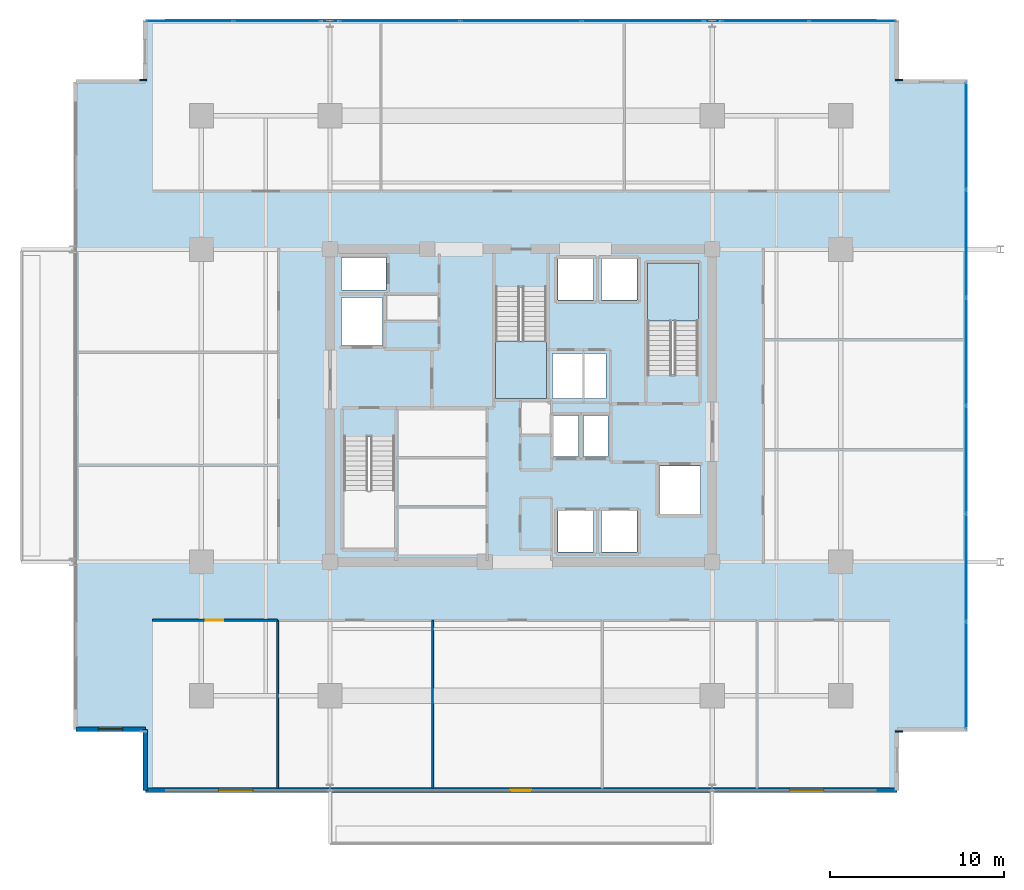
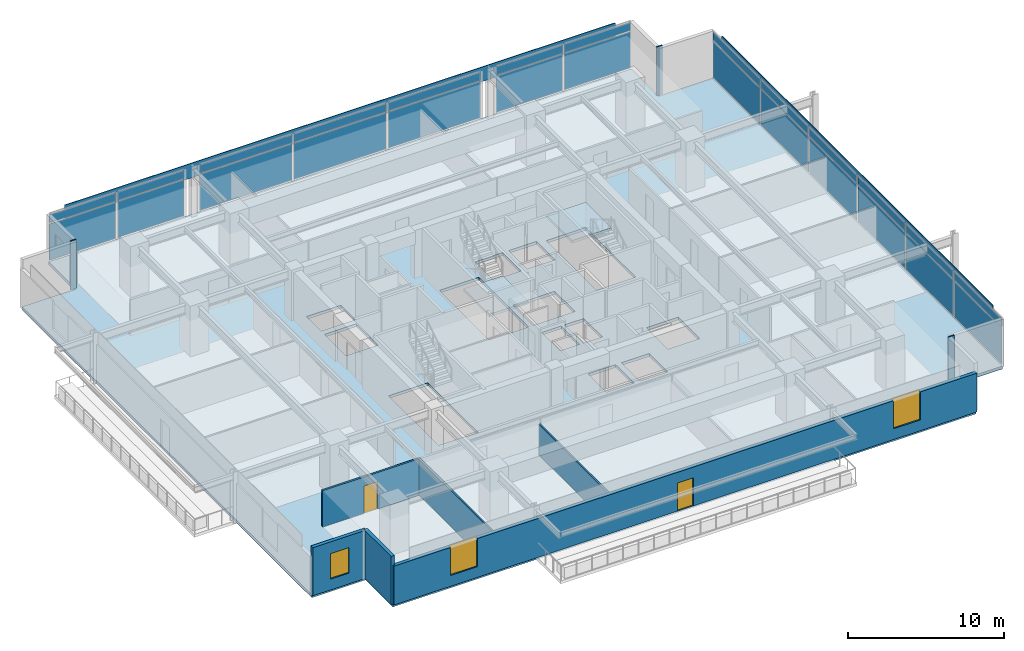
# One storey, part 14 of 23: 31 plates, 6 walls, 3 slabs, 3 windows, 2 doors, 5 openings, 6 elements without a shape of their own.
"""IFC4 building model written with IfcOpenShell, lengths in metres."""

from ifc_helpers import new_model, si_unit, direction, frame, frame_2d, origin, origin_2d, place, context, subcontext, project, spatial, polyline, rectangle, outline, extrude, material, layer, layer_set, type_object, element, fill, aggregate, save


model = new_model("IFC4")

# Units and contexts
model_context = context("Model", 3, precision=1e-05, world=origin(), true_north=direction((0.0, 1.0)))
body_context = subcontext(model_context, "Body", "Model", "MODEL_VIEW")
ifc_project = project(units=[si_unit("LENGTHUNIT", "METRE"), si_unit("AREAUNIT", "SQUARE_METRE"), si_unit("VOLUMEUNIT", "CUBIC_METRE"), si_unit("PLANEANGLEUNIT", "RADIAN"), si_unit("MASSUNIT", "GRAM", prefix="KILO")], contexts=[model_context])

# Site, building, storey
site_placement = place(None, origin())
site = spatial("IfcSite", under=ifc_project, at=site_placement, CompositionType="ELEMENT")
building_placement = place(site_placement, origin())
building = spatial("IfcBuilding", under=site, at=building_placement, Name="Kovane Verandah Tower", CompositionType="ELEMENT")
storey_placement = place(building_placement, frame((0.0, 0.0, 221.199951171875)))
storey = spatial("IfcBuildingStorey", under=building, at=storey_placement, Name="L51", CompositionType="ELEMENT", Elevation=221.199951171875)

# Curtain wall, plates
ifc_material_1 = material(Name="Champagne Anodised Aluminium Frame with Low-E Clear Laminated Glass", Category="aluminium")
curtain_wall_type = type_object("IfcCurtainWallType", Name="CW-SYS-03-MID", PredefinedType="NOTDEFINED", material=ifc_material_1)
curtain_wall_1_placement = place(storey_placement, origin())
curtain_wall_1 = element("IfcCurtainWall", 1, at=curtain_wall_1_placement, inside=storey, type_object=curtain_wall_type, Name="L51 E Unitised Curtain Wall", PredefinedType="NOTDEFINED")
ifc_material_2 = material(Name="Pale Champagne Anodised Aluminium Insulated Spandrel", Category="aluminium")
ifc_layer_1 = layer(ifc_material_2, 0.0400390625)
ifc_layer_set_1 = layer_set([ifc_layer_1], Name="Pale Champagne Anodised Aluminium Insulated Spandrel")
plate_type_1 = type_object("IfcPlateType", Name="PL-CW-SPD-40", PredefinedType="SHEET", material=ifc_layer_set_1)
plate_1_placement = place(storey_placement, frame((65.63134765625, 11.96630859375, 3.044921875), z_axis=(0.0, 0.0, 1.0), x_axis=(0.0, 1.0, 0.0)))
plate_1 = element("IfcPlate", 2, at=plate_1_placement, type_object=plate_type_1, Name="L51 E Unitised Curtain Wall Spandrel Panel 1", PredefinedType="SHEET", context=body_context, shape_type="SweptSolid", body=[
    extrude(rectangle(XDim=6.073486328125, YDim=0.0400390625, at=origin_2d()), origin(), (0.0, 0.0, 1.0), 0.639892578125),
])
plate_2_placement = place(storey_placement, frame((65.63134765625, 18.1796875, 3.044921875), z_axis=(0.0, 0.0, 1.0), x_axis=(0.0, 1.0, 0.0)))
plate_2 = element("IfcPlate", 3, at=plate_2_placement, type_object=plate_type_1, Name="L51 E Unitised Curtain Wall Spandrel Panel 2", PredefinedType="SHEET", context=body_context, shape_type="SweptSolid", body=[
    extrude(rectangle(XDim=6.073486328125, YDim=0.0400390625, at=origin_2d()), origin(), (0.0, 0.0, 1.0), 0.639892578125),
])
plate_3_placement = place(storey_placement, frame((65.63134765625, 24.393310546875, 3.044921875), z_axis=(0.0, 0.0, 1.0), x_axis=(0.0, 1.0, 0.0)))
plate_3 = element("IfcPlate", 4, at=plate_3_placement, type_object=plate_type_1, Name="L51 E Unitised Curtain Wall Spandrel Panel 3", PredefinedType="SHEET", context=body_context, shape_type="SweptSolid", body=[
    extrude(rectangle(XDim=6.073486328125, YDim=0.0400390625, at=origin_2d()), origin(), (0.0, 0.0, 1.0), 0.639892578125),
])
plate_4_placement = place(storey_placement, frame((65.63134765625, 30.606689453125, 3.044921875), z_axis=(0.0, 0.0, 1.0), x_axis=(0.0, 1.0, 0.0)))
plate_4 = element("IfcPlate", 5, at=plate_4_placement, type_object=plate_type_1, Name="L51 E Unitised Curtain Wall Spandrel Panel 4", PredefinedType="SHEET", context=body_context, shape_type="SweptSolid", body=[
    extrude(rectangle(XDim=6.073486328125, YDim=0.0400390625, at=origin_2d()), origin(), (0.0, 0.0, 1.0), 0.639892578125),
])
plate_5_placement = place(storey_placement, frame((65.63134765625, 36.8203125, 3.044921875), z_axis=(0.0, 0.0, 1.0), x_axis=(0.0, 1.0, 0.0)))
plate_5 = element("IfcPlate", 6, at=plate_5_placement, type_object=plate_type_1, Name="L51 E Unitised Curtain Wall Spandrel Panel 5", PredefinedType="SHEET", context=body_context, shape_type="SweptSolid", body=[
    extrude(rectangle(XDim=6.073486328125, YDim=0.0400390625, at=origin_2d()), origin(), (0.0, 0.0, 1.0), 0.639892578125),
])
plate_6_placement = place(storey_placement, frame((65.63134765625, 43.03369140625, 3.044921875), z_axis=(0.0, 0.0, 1.0), x_axis=(0.0, 1.0, 0.0)))
plate_6 = element("IfcPlate", 7, at=plate_6_placement, type_object=plate_type_1, Name="L51 E Unitised Curtain Wall Spandrel Panel 6", PredefinedType="SHEET", context=body_context, shape_type="SweptSolid", body=[
    extrude(rectangle(XDim=6.073486328125, YDim=0.0400390625, at=origin_2d()), origin(), (0.0, 0.0, 1.0), 0.639892578125),
])

curtain_wall_2_placement = place(storey_placement, origin())
curtain_wall_2 = element("IfcCurtainWall", 8, at=curtain_wall_2_placement, inside=storey, type_object=curtain_wall_type, Name="L51 N Unitised Curtain Wall-1", PredefinedType="NOTDEFINED")
plate_7_placement = place(storey_placement, frame((59.103515625, 49.640380859375, 3.044921875), z_axis=(0.0, 0.0, 1.0), x_axis=(-1.0, 0.0, 0.0)))
plate_7 = element("IfcPlate", 9, at=plate_7_placement, type_object=plate_type_1, Name="L51 N Unitised Curtain Wall-1 Spandrel Panel 1", PredefinedType="SHEET", context=body_context, shape_type="SweptSolid", body=[
    extrude(rectangle(XDim=4.915771484375, YDim=0.0400390625, at=origin_2d()), origin(), (0.0, 0.0, 1.0), 0.639892578125),
])
plate_8_placement = place(storey_placement, frame((54.0478515625, 49.640380859375, 3.044921875), z_axis=(0.0, 0.0, 1.0), x_axis=(-1.0, 0.0, 0.0)))
plate_8 = element("IfcPlate", 10, at=plate_8_placement, type_object=plate_type_1, Name="L51 N Unitised Curtain Wall-1 Spandrel Panel 2", PredefinedType="SHEET", context=body_context, shape_type="SweptSolid", body=[
    extrude(rectangle(XDim=4.915771484375, YDim=0.0400390625, at=origin_2d()), origin(), (0.0, 0.0, 1.0), 0.639892578125),
])

curtain_wall_3_placement = place(storey_placement, origin())
curtain_wall_3 = element("IfcCurtainWall", 11, at=curtain_wall_3_placement, inside=storey, type_object=curtain_wall_type, Name="L51 N Unitised Curtain Wall-2", PredefinedType="NOTDEFINED")
plate_9_placement = place(storey_placement, frame((46.98681640625, 49.640380859375, 3.044921875), z_axis=(0.0, 0.0, 1.0), x_axis=(-1.0, 0.0, 0.0)))
plate_9 = element("IfcPlate", 12, at=plate_9_placement, type_object=plate_type_1, Name="L51 N Unitised Curtain Wall-2 Spandrel Panel 1", PredefinedType="SHEET", context=body_context, shape_type="SweptSolid", body=[
    extrude(rectangle(XDim=6.8466796875, YDim=0.0400390625, at=origin_2d()), origin(), (0.0, 0.0, 1.0), 0.639892578125),
])
plate_10_placement = place(storey_placement, frame((40.0, 49.640380859375, 3.044921875), z_axis=(0.0, 0.0, 1.0), x_axis=(-1.0, 0.0, 0.0)))
plate_10 = element("IfcPlate", 13, at=plate_10_placement, type_object=plate_type_1, Name="L51 N Unitised Curtain Wall-2 Spandrel Panel 2", PredefinedType="SHEET", context=body_context, shape_type="SweptSolid", body=[
    extrude(rectangle(XDim=6.8466796875, YDim=0.0400390625, at=origin_2d()), origin(), (0.0, 0.0, 1.0), 0.639892578125),
])
plate_11_placement = place(storey_placement, frame((33.01318359375, 49.640380859375, 3.044921875), z_axis=(0.0, 0.0, 1.0), x_axis=(-1.0, 0.0, 0.0)))
plate_11 = element("IfcPlate", 14, at=plate_11_placement, type_object=plate_type_1, Name="L51 N Unitised Curtain Wall-2 Spandrel Panel 3", PredefinedType="SHEET", context=body_context, shape_type="SweptSolid", body=[
    extrude(rectangle(XDim=6.8466796875, YDim=0.0400390625, at=origin_2d()), origin(), (0.0, 0.0, 1.0), 0.639892578125),
])

curtain_wall_4_placement = place(storey_placement, origin())
curtain_wall_4 = element("IfcCurtainWall", 15, at=curtain_wall_4_placement, inside=storey, type_object=curtain_wall_type, Name="L51 N Unitised Curtain Wall-3", PredefinedType="NOTDEFINED")
plate_12_placement = place(storey_placement, frame((25.9521484375, 49.640380859375, 3.044921875), z_axis=(0.0, 0.0, 1.0), x_axis=(-1.0, 0.0, 0.0)))
plate_12 = element("IfcPlate", 16, at=plate_12_placement, type_object=plate_type_1, Name="L51 N Unitised Curtain Wall-3 Spandrel Panel 1", PredefinedType="SHEET", context=body_context, shape_type="SweptSolid", body=[
    extrude(rectangle(XDim=4.91552734375, YDim=0.0400390625, at=origin_2d()), origin(), (0.0, 0.0, 1.0), 0.639892578125),
])
plate_13_placement = place(storey_placement, frame((20.896484375, 49.640380859375, 3.044921875), z_axis=(0.0, 0.0, 1.0), x_axis=(-1.0, 0.0, 0.0)))
plate_13 = element("IfcPlate", 17, at=plate_13_placement, type_object=plate_type_1, Name="L51 N Unitised Curtain Wall-3 Spandrel Panel 2", PredefinedType="SHEET", context=body_context, shape_type="SweptSolid", body=[
    extrude(rectangle(XDim=4.91552734375, YDim=0.0400390625, at=origin_2d()), origin(), (0.0, 0.0, 1.0), 0.639892578125),
])

# Plate
ifc_material_3 = material(Name="Clear Low-E Laminated Double Glazing", Category="glass")
ifc_layer_2 = layer(ifc_material_3, 0.031982421875)
ifc_layer_set_2 = layer_set([ifc_layer_2], Name="Clear Low-E Laminated Double Glazing")
plate_type_2 = type_object("IfcPlateType", Name="PL-CW-VIS-32", PredefinedType="CURTAIN_PANEL", material=ifc_layer_set_2)
plate_14_placement = place(storey_placement, frame((65.63134765625, 11.96630859375, 0.10009765625), z_axis=(0.0, 0.0, 1.0), x_axis=(0.0, 1.0, 0.0)))
plate_14 = element("IfcPlate", 18, at=plate_14_placement, type_object=plate_type_2, Name="L51 E Unitised Curtain Wall Vision Panel 1", PredefinedType="CURTAIN_PANEL", context=body_context, shape_type="SweptSolid", body=[
    extrude(rectangle(XDim=6.073486328125, YDim=0.031982421875, at=origin_2d()), origin(), (0.0, 0.0, 1.0), 2.844970703125),
])

plate_15_placement = place(storey_placement, frame((65.63134765625, 18.1796875, 0.10009765625), z_axis=(0.0, 0.0, 1.0), x_axis=(0.0, 1.0, 0.0)))
plate_15 = element("IfcPlate", 19, at=plate_15_placement, type_object=plate_type_2, Name="L51 E Unitised Curtain Wall Vision Panel 2", PredefinedType="CURTAIN_PANEL", context=body_context, shape_type="SweptSolid", body=[
    extrude(rectangle(XDim=6.073486328125, YDim=0.031982421875, at=origin_2d()), origin(), (0.0, 0.0, 1.0), 2.844970703125),
])

plate_16_placement = place(storey_placement, frame((65.63134765625, 24.393310546875, 0.10009765625), z_axis=(0.0, 0.0, 1.0), x_axis=(0.0, 1.0, 0.0)))
plate_16 = element("IfcPlate", 20, at=plate_16_placement, type_object=plate_type_2, Name="L51 E Unitised Curtain Wall Vision Panel 3", PredefinedType="CURTAIN_PANEL", context=body_context, shape_type="SweptSolid", body=[
    extrude(rectangle(XDim=6.073486328125, YDim=0.031982421875, at=origin_2d()), origin(), (0.0, 0.0, 1.0), 2.844970703125),
])

plate_17_placement = place(storey_placement, frame((65.63134765625, 30.606689453125, 0.10009765625), z_axis=(0.0, 0.0, 1.0), x_axis=(0.0, 1.0, 0.0)))
plate_17 = element("IfcPlate", 21, at=plate_17_placement, type_object=plate_type_2, Name="L51 E Unitised Curtain Wall Vision Panel 4", PredefinedType="CURTAIN_PANEL", context=body_context, shape_type="SweptSolid", body=[
    extrude(rectangle(XDim=6.073486328125, YDim=0.031982421875, at=origin_2d()), origin(), (0.0, 0.0, 1.0), 2.844970703125),
])

plate_18_placement = place(storey_placement, frame((65.63134765625, 36.8203125, 0.10009765625), z_axis=(0.0, 0.0, 1.0), x_axis=(0.0, 1.0, 0.0)))
plate_18 = element("IfcPlate", 22, at=plate_18_placement, type_object=plate_type_2, Name="L51 E Unitised Curtain Wall Vision Panel 5", PredefinedType="CURTAIN_PANEL", context=body_context, shape_type="SweptSolid", body=[
    extrude(rectangle(XDim=6.073486328125, YDim=0.031982421875, at=origin_2d()), origin(), (0.0, 0.0, 1.0), 2.844970703125),
])

plate_19_placement = place(storey_placement, frame((65.63134765625, 43.03369140625, 0.10009765625), z_axis=(0.0, 0.0, 1.0), x_axis=(0.0, 1.0, 0.0)))
plate_19 = element("IfcPlate", 23, at=plate_19_placement, type_object=plate_type_2, Name="L51 E Unitised Curtain Wall Vision Panel 6", PredefinedType="CURTAIN_PANEL", context=body_context, shape_type="SweptSolid", body=[
    extrude(rectangle(XDim=6.073486328125, YDim=0.031982421875, at=origin_2d()), origin(), (0.0, 0.0, 1.0), 2.844970703125),
])

aggregate(curtain_wall_1, [plate_14, plate_1, plate_15, plate_2, plate_16, plate_3, plate_17, plate_4, plate_18, plate_5, plate_19, plate_6])

plate_20_placement = place(storey_placement, frame((59.103515625, 49.640380859375, 0.10009765625), z_axis=(0.0, 0.0, 1.0), x_axis=(-1.0, 0.0, 0.0)))
plate_20 = element("IfcPlate", 24, at=plate_20_placement, type_object=plate_type_2, Name="L51 N Unitised Curtain Wall-1 Vision Panel 1", PredefinedType="CURTAIN_PANEL", context=body_context, shape_type="SweptSolid", body=[
    extrude(rectangle(XDim=4.915771484375, YDim=0.031982421875, at=origin_2d()), origin(), (0.0, 0.0, 1.0), 2.844970703125),
])

plate_21_placement = place(storey_placement, frame((54.0478515625, 49.640380859375, 0.10009765625), z_axis=(0.0, 0.0, 1.0), x_axis=(-1.0, 0.0, 0.0)))
plate_21 = element("IfcPlate", 25, at=plate_21_placement, type_object=plate_type_2, Name="L51 N Unitised Curtain Wall-1 Vision Panel 2", PredefinedType="CURTAIN_PANEL", context=body_context, shape_type="SweptSolid", body=[
    extrude(rectangle(XDim=4.915771484375, YDim=0.031982421875, at=origin_2d()), origin(), (0.0, 0.0, 1.0), 2.844970703125),
])

aggregate(curtain_wall_2, [plate_20, plate_7, plate_21, plate_8])

plate_22_placement = place(storey_placement, frame((46.98681640625, 49.640380859375, 0.10009765625), z_axis=(0.0, 0.0, 1.0), x_axis=(-1.0, 0.0, 0.0)))
plate_22 = element("IfcPlate", 26, at=plate_22_placement, type_object=plate_type_2, Name="L51 N Unitised Curtain Wall-2 Vision Panel 1", PredefinedType="CURTAIN_PANEL", context=body_context, shape_type="SweptSolid", body=[
    extrude(rectangle(XDim=6.8466796875, YDim=0.031982421875, at=origin_2d()), origin(), (0.0, 0.0, 1.0), 2.844970703125),
])

plate_23_placement = place(storey_placement, frame((40.0, 49.640380859375, 0.10009765625), z_axis=(0.0, 0.0, 1.0), x_axis=(-1.0, 0.0, 0.0)))
plate_23 = element("IfcPlate", 27, at=plate_23_placement, type_object=plate_type_2, Name="L51 N Unitised Curtain Wall-2 Vision Panel 2", PredefinedType="CURTAIN_PANEL", context=body_context, shape_type="SweptSolid", body=[
    extrude(rectangle(XDim=6.8466796875, YDim=0.031982421875, at=origin_2d()), origin(), (0.0, 0.0, 1.0), 2.844970703125),
])

plate_24_placement = place(storey_placement, frame((33.01318359375, 49.640380859375, 0.10009765625), z_axis=(0.0, 0.0, 1.0), x_axis=(-1.0, 0.0, 0.0)))
plate_24 = element("IfcPlate", 28, at=plate_24_placement, type_object=plate_type_2, Name="L51 N Unitised Curtain Wall-2 Vision Panel 3", PredefinedType="CURTAIN_PANEL", context=body_context, shape_type="SweptSolid", body=[
    extrude(rectangle(XDim=6.8466796875, YDim=0.031982421875, at=origin_2d()), origin(), (0.0, 0.0, 1.0), 2.844970703125),
])

aggregate(curtain_wall_3, [plate_22, plate_9, plate_23, plate_10, plate_24, plate_11])

plate_25_placement = place(storey_placement, frame((25.9521484375, 49.640380859375, 0.10009765625), z_axis=(0.0, 0.0, 1.0), x_axis=(-1.0, 0.0, 0.0)))
plate_25 = element("IfcPlate", 29, at=plate_25_placement, type_object=plate_type_2, Name="L51 N Unitised Curtain Wall-3 Vision Panel 1", PredefinedType="CURTAIN_PANEL", context=body_context, shape_type="SweptSolid", body=[
    extrude(rectangle(XDim=4.91552734375, YDim=0.031982421875, at=origin_2d()), origin(), (0.0, 0.0, 1.0), 2.844970703125),
])

plate_26_placement = place(storey_placement, frame((20.896484375, 49.640380859375, 0.10009765625), z_axis=(0.0, 0.0, 1.0), x_axis=(-1.0, 0.0, 0.0)))
plate_26 = element("IfcPlate", 30, at=plate_26_placement, type_object=plate_type_2, Name="L51 N Unitised Curtain Wall-3 Vision Panel 2", PredefinedType="CURTAIN_PANEL", context=body_context, shape_type="SweptSolid", body=[
    extrude(rectangle(XDim=4.91552734375, YDim=0.031982421875, at=origin_2d()), origin(), (0.0, 0.0, 1.0), 2.844970703125),
])

aggregate(curtain_wall_4, [plate_25, plate_12, plate_26, plate_13])

# Plates
ifc_material_4 = material(Name="Timber-Toned Subtropical Aluminium Vertical Blade", Category="wood")
ifc_layer_3 = layer(ifc_material_4, 0.090087890625)
ifc_layer_set_3 = layer_set([ifc_layer_3], Name="Timber-Toned Subtropical Aluminium Vertical Blade")
plate_type_3 = type_object("IfcPlateType", Name="PL-FIN-90", PredefinedType="USERDEFINED", material=ifc_layer_set_3)
for number, where, z_axis, x_axis, name in (
    (31, (61.751220703125, 8.739501953125, -0.02001953125), (0.0, 0.0, 1.0), (1.0, 0.0, 0.0), "L51 SE Timber-Toned Vertical Corner Fin"),
    (32, (61.751220703125, 46.260498046875, -0.02001953125), (0.0, 0.0, 1.0), (1.0, 0.0, 0.0), "L51 NE Timber-Toned Vertical Corner Fin"),
    (33, (18.248779296875, 46.260498046875, -0.02001953125), (0.0, 0.0, 1.0), (1.0, 0.0, 0.0), "L51 NW Timber-Toned Vertical Corner Fin"),
):
    element("IfcPlate", number, at=place(storey_placement, frame(where, z_axis=z_axis, x_axis=x_axis)), inside=storey, type_object=plate_type_3, Name=name, ObjectType="FIN", PredefinedType="USERDEFINED", context=body_context, shape_type="SweptSolid", body=[
        extrude(rectangle(XDim=0.419921875, YDim=0.090087890625, at=origin_2d()), origin(), (0.0, 0.0, 1.0), 3.8349609375),
    ])
ifc_material_5 = material(Name="Perforated Pale Champagne Anodised Aluminium Solar Screen", Category="aluminium")
ifc_layer_4 = layer(ifc_material_5, 0.050048828125)
ifc_layer_set_4 = layer_set([ifc_layer_4], Name="Perforated Pale Champagne Anodised Aluminium Solar Screen")
plate_type_4 = type_object("IfcPlateType", Name="PL-SCREEN-50", PredefinedType="USERDEFINED", material=ifc_layer_set_4)
plate_27_placement = place(storey_placement, frame((65.646240234375, 27.5, 2.875), z_axis=(0.0, 0.0, 1.0), x_axis=(0.0, 1.0, 0.0)))
element("IfcPlate", 34, at=plate_27_placement, inside=storey, type_object=plate_type_4, Name="L51 E Perforated Champagne-Gold Solar Screen", ObjectType="SCREEN", PredefinedType="USERDEFINED", context=body_context, shape_type="SweptSolid", body=[
    extrude(rectangle(XDim=34.881103515625, YDim=0.050048828125, at=origin_2d()), origin(), (0.0, 0.0, 1.0), 1.14990234375),
])
plate_28_placement = place(storey_placement, frame((40.0, 49.655517578125, 2.875), z_axis=(0.0, 0.0, 1.0), x_axis=(-1.0, 0.0, 0.0)))
element("IfcPlate", 35, at=plate_28_placement, inside=storey, type_object=plate_type_4, Name="L51 N Perforated Champagne-Gold Solar Screen", ObjectType="SCREEN", PredefinedType="USERDEFINED", context=body_context, shape_type="SweptSolid", body=[
    extrude(rectangle(XDim=40.863037109375, YDim=0.050048828125, at=origin_2d()), origin(), (0.0, 0.0, 1.0), 1.14990234375),
])

# Stair, slab
ifc_material_6 = material(Name="Concrete C45/55", Category="concrete")
stair_type = type_object("IfcStairType", Name="ST-CORE-1380", PredefinedType="HALF_TURN_STAIR", material=ifc_material_6)
stair_1_placement = place(storey_placement, origin())
stair_1 = element("IfcStair", 36, at=stair_1_placement, inside=storey, type_object=stair_type, Name="L51 Exit Stair ST-02", PredefinedType="HALF_TURN_STAIR")
ifc_layer_5 = layer(ifc_material_6, 0.199951171875)
ifc_layer_set_5 = layer_set([ifc_layer_5], Name="Concrete C45/55")
slab_type_1 = type_object("IfcSlabType", Name="SL-LAND-200", PredefinedType="LANDING", material=ifc_layer_set_5)
slab_1_placement = place(storey_placement, frame((0.0, 0.0, 1.800048828125)))
slab_1 = element("IfcSlab", 37, at=slab_1_placement, type_object=slab_type_1, Name="ST-02 landing 1", PredefinedType="LANDING", context=body_context, shape_type="SweptSolid", body=[
    extrude(outline(polyline([(50.199951171875, 32.385009765625), (50.199951171875, 35.699951171875), (47.280029296875, 35.699951171875), (47.280029296875, 32.385009765625), (50.199951171875, 32.385009765625)])), origin(), (0.0, 0.0, 1.0), 0.199951171875),
])
aggregate(stair_1, [slab_1])

stair_2_placement = place(storey_placement, origin())
stair_2 = element("IfcStair", 38, at=stair_2_placement, inside=storey, type_object=stair_type, Name="L51 Exit Stair ST-03", PredefinedType="HALF_TURN_STAIR")
slab_2_placement = place(storey_placement, frame((0.0, 0.0, 1.800048828125)))
slab_2 = element("IfcSlab", 39, at=slab_2_placement, type_object=slab_type_1, Name="ST-03 landing 1", PredefinedType="LANDING", context=body_context, shape_type="SweptSolid", body=[
    extrude(outline(polyline([(38.5400390625, 31.215087890625), (38.5400390625, 27.89990234375), (41.4599609375, 27.89990234375), (41.4599609375, 31.215087890625), (38.5400390625, 31.215087890625)])), origin(), (0.0, 0.0, 1.0), 0.199951171875),
])
aggregate(stair_2, [slab_2])

# Slab
ifc_layer_6 = layer(ifc_material_6, 0.22509765625)
ifc_layer_set_6 = layer_set([ifc_layer_6], Name="Concrete C45/55")
slab_type_2 = type_object("IfcSlabType", Name="SL-MID-225", PredefinedType="FLOOR", material=ifc_layer_set_6)
slab_3_placement = place(storey_placement, frame((0.0, 0.0, -0.224853515625)))
element("IfcSlab", 40, at=slab_3_placement, inside=storey, type_object=slab_type_2, Name="L51 Structural Floor Slab", PredefinedType="FLOOR", context=body_context, shape_type="SweptSolid", body=[
    extrude(outline(polyline([(18.36865234375, 5.359619140625), (61.63134765625, 5.359619140625), (61.63134765625, 8.859619140625), (65.63134765625, 8.859619140625), (65.63134765625, 46.140380859375), (61.63134765625, 46.140380859375), (61.63134765625, 49.640380859375), (18.36865234375, 49.640380859375), (18.36865234375, 46.140380859375), (14.36865234375, 46.140380859375), (14.36865234375, 8.859619140625), (18.36865234375, 8.859619140625), (18.36865234375, 5.359619140625)]), holes=[polyline([(29.800048828125, 19.300048828125), (32.719970703125, 19.300048828125), (32.719970703125, 25.705078125), (29.800048828125, 25.705078125), (29.800048828125, 19.300048828125)]), polyline([(47.280029296875, 29.294921875), (50.199951171875, 29.294921875), (50.199951171875, 35.699951171875), (47.280029296875, 35.699951171875), (47.280029296875, 29.294921875)]), polyline([(38.5400390625, 27.89990234375), (41.4599609375, 27.89990234375), (41.4599609375, 34.304931640625), (38.5400390625, 34.304931640625), (38.5400390625, 27.89990234375)]), polyline([(29.669921875, 30.969970703125), (32.030029296875, 30.969970703125), (32.030029296875, 33.72998046875), (29.669921875, 33.72998046875), (29.669921875, 30.969970703125)]), polyline([(47.969970703125, 21.27001953125), (50.330078125, 21.27001953125), (50.330078125, 24.030029296875), (47.969970703125, 24.030029296875), (47.969970703125, 21.27001953125)]), polyline([(29.669921875, 34.169921875), (32.22998046875, 34.169921875), (32.22998046875, 36.030029296875), (29.669921875, 36.030029296875), (29.669921875, 34.169921875)]), polyline([(42.1201171875, 19.070068359375), (44.179931640625, 19.070068359375), (44.179931640625, 21.429931640625), (42.1201171875, 21.429931640625), (42.1201171875, 19.070068359375)]), polyline([(44.6201171875, 19.070068359375), (46.679931640625, 19.070068359375), (46.679931640625, 21.429931640625), (44.6201171875, 21.429931640625), (44.6201171875, 19.070068359375)]), polyline([(41.8798828125, 24.570068359375), (43.320068359375, 24.570068359375), (43.320068359375, 26.929931640625), (41.8798828125, 26.929931640625), (41.8798828125, 24.570068359375)]), polyline([(43.580078125, 24.570068359375), (45.0, 24.570068359375), (45.0, 26.929931640625), (43.580078125, 26.929931640625), (43.580078125, 24.570068359375)]), polyline([(42.1201171875, 33.570068359375), (44.179931640625, 33.570068359375), (44.179931640625, 35.929931640625), (42.1201171875, 35.929931640625), (42.1201171875, 33.570068359375)]), polyline([(44.6201171875, 33.570068359375), (46.679931640625, 33.570068359375), (46.679931640625, 35.929931640625), (44.6201171875, 35.929931640625), (44.6201171875, 33.570068359375)]), polyline([(41.800048828125, 27.89990234375), (44.89990234375, 27.89990234375), (44.89990234375, 30.5), (41.800048828125, 30.5), (41.800048828125, 27.89990234375)])]), origin(), (0.0, 0.0, 1.0), 0.224853515625),
])

# Wall, opening, door
ifc_material_7 = material(Name="Fire-Rated Gypsum Stud Partition", Category="gypsum")
ifc_layer_7 = layer(ifc_material_7, 0.14990234375)
ifc_layer_set_7 = layer_set([ifc_layer_7], Name="Fire-Rated Gypsum Stud Partition")
wall_type_1 = type_object("IfcWallType", Name="WL-COR-150", PredefinedType="PARTITIONING", material=ifc_layer_set_7)
wall_1_placement = place(storey_placement, frame((18.768798828125, 15.14990234375, 0.0), z_axis=(0.0, 0.0, 1.0), x_axis=(1.0, 0.0, 0.0)))
wall_1 = element("IfcWall", 41, at=wall_1_placement, inside=storey, type_object=wall_type_1, Name="L51 Breakout Pantry S1 Corridor Partition", PredefinedType="PARTITIONING", context=body_context, shape_type="SweptSolid", body=[
    extrude(rectangle(XDim=7.218505859375, YDim=0.14990234375, at=frame_2d((3.609375, 0.0))), origin(), (0.0, 0.0, 1.0), 2.85009765625),
])
opening_1_placement = place(wall_1_placement, frame((3.07421875, 0.0, 0.0)))
opening_1 = element("IfcOpeningElement", 42, at=opening_1_placement, cuts=wall_1, Name="Opening DR-L51-024", PredefinedType="OPENING", context=body_context, shape_type="SweptSolid", body=[
    extrude(rectangle(XDim=1.0, YDim=2.14990234375, at=frame_2d((0.5, 1.074951171875))), frame((0.0, 0.074951171875, 0.0), z_axis=(0.0, -1.0, 0.0), x_axis=(1.0, 0.0, 0.0)), (0.0, 0.0, 1.0), 0.14990234375),
])
ifc_material_8 = material(Name="FSC Spotted-Gum Timber Fire-Rated Office Door", Category="wood")
door_type_1 = type_object("IfcDoorType", Name="DR-OFF-1000", OperationType="SINGLE_SWING_LEFT", PredefinedType="DOOR", material=ifc_material_8)
door_1_placement = place(opening_1_placement, origin())
door_1 = element("IfcDoor", 43, at=door_1_placement, inside=storey, type_object=door_type_1, Name="L51 Breakout Pantry S1 Entrance Door", OperationType="SINGLE_SWING_RIGHT", OverallHeight=2.14990234375, OverallWidth=1.0, PredefinedType="DOOR", context=body_context, shape_type="SweptSolid", body=[
    extrude(rectangle(XDim=1.0, YDim=2.14990234375, at=frame_2d((0.5, 1.074951171875))), frame((0.0, 0.02490234375, 0.0), z_axis=(0.0, -1.0, 0.0), x_axis=(1.0, 0.0, 0.0)), (0.0, 0.0, 1.0), 0.050048828125),
])
fill(opening_1, door_1)

# Walls
ifc_material_9 = material(Name="Acoustic Fire-Rated Gypsum Partition", Category="gypsum")
ifc_layer_8 = layer(ifc_material_9, 0.1201171875)
ifc_layer_set_8 = layer_set([ifc_layer_8], Name="Acoustic Fire-Rated Gypsum Partition")
wall_type_2 = type_object("IfcWallType", Name="WL-PART-120", PredefinedType="PARTITIONING", material=ifc_layer_set_8)
wall_2_placement = place(storey_placement, frame((25.9873046875, 5.459716796875, 0.0), z_axis=(0.0, 0.0, 1.0), x_axis=(0.0, 1.0, 0.0)))
element("IfcWall", 44, at=wall_2_placement, inside=storey, type_object=wall_type_2, Name="L51 Breakout Pantry S1 Dividing Partition", PredefinedType="PARTITIONING", context=body_context, shape_type="SweptSolid", body=[
    extrude(rectangle(XDim=9.690185546875, YDim=0.1201171875, at=frame_2d((4.84521484375, 0.0))), origin(), (0.0, 0.0, 1.0), 2.85009765625),
])
wall_3_placement = place(storey_placement, frame((34.904541015625, 5.459716796875, 0.0), z_axis=(0.0, 0.0, 1.0), x_axis=(0.0, 1.0, 0.0)))
element("IfcWall", 45, at=wall_3_placement, inside=storey, type_object=wall_type_2, Name="L51 Collaboration Hub S2 Dividing Partition", PredefinedType="PARTITIONING", context=body_context, shape_type="SweptSolid", body=[
    extrude(rectangle(XDim=9.690185546875, YDim=0.1201171875, at=frame_2d((4.84521484375, 0.0))), origin(), (0.0, 0.0, 1.0), 2.405029296875),
])

# Wall, openings, door, windows
ifc_material_10 = material(Name="Concrete C45/55 Insulated Spandrel Wall", Category="concrete")
ifc_layer_9 = layer(ifc_material_10, 0.260009765625)
ifc_layer_set_9 = layer_set([ifc_layer_9], Name="Concrete C45/55 Insulated Spandrel Wall")
wall_type_3 = type_object("IfcWallType", Name="WL-SPANDREL-260", PredefinedType="PARAPET", material=ifc_layer_set_9)
wall_4_placement = place(storey_placement, frame((18.36865234375, 5.359619140625, 0.0), z_axis=(0.0, 0.0, 1.0), x_axis=(1.0, 0.0, 0.0)))
wall_4 = element("IfcWall", 46, at=wall_4_placement, inside=storey, type_object=wall_type_3, Name="L51 S Verandah Access Facade Wall", PredefinedType="PARAPET", context=body_context, shape_type="SweptSolid", body=[
    extrude(rectangle(XDim=43.2626953125, YDim=0.260009765625, at=frame_2d((21.63134765625, 0.0))), origin(), (0.0, 0.0, 1.0), 3.047119140625),
])
opening_2_placement = place(wall_4_placement, frame((4.199951171875, 0.0, 0.85009765625)))
opening_2 = element("IfcOpeningElement", 47, at=opening_2_placement, cuts=wall_4, Name="Opening W-04", PredefinedType="OPENING", context=body_context, shape_type="SweptSolid", body=[
    extrude(rectangle(XDim=2.0, YDim=2.300048828125, at=frame_2d((1.0, 1.14990234375))), frame((0.0, 0.1298828125, 0.0), z_axis=(0.0, -1.0, 0.0), x_axis=(1.0, 0.0, 0.0)), (0.0, 0.0, 1.0), 0.260009765625),
])
opening_3_placement = place(wall_4_placement, frame((21.03125, 0.0, 0.0)))
opening_3 = element("IfcOpeningElement", 48, at=opening_3_placement, cuts=wall_4, Name="Opening DR-L51-001", PredefinedType="OPENING", context=body_context, shape_type="SweptSolid", body=[
    extrude(rectangle(XDim=1.199951171875, YDim=2.199951171875, at=frame_2d((0.60009765625, 1.10009765625))), frame((0.0, 0.1298828125, 0.0), z_axis=(0.0, -1.0, 0.0), x_axis=(1.0, 0.0, 0.0)), (0.0, 0.0, 1.0), 0.260009765625),
])
opening_4_placement = place(wall_4_placement, frame((37.0625, 0.0, 0.85009765625)))
opening_4 = element("IfcOpeningElement", 49, at=opening_4_placement, cuts=wall_4, Name="Opening W-04", PredefinedType="OPENING", context=body_context, shape_type="SweptSolid", body=[
    extrude(rectangle(XDim=2.0, YDim=2.300048828125, at=frame_2d((1.0, 1.14990234375))), frame((0.0, 0.1298828125, 0.0), z_axis=(0.0, -1.0, 0.0), x_axis=(1.0, 0.0, 0.0)), (0.0, 0.0, 1.0), 0.260009765625),
])
ifc_material_11 = material(Name="Cyclone-Rated Glazed Balcony Leaf Door", Category="aluminium")
door_type_2 = type_object("IfcDoorType", Name="DR-BAL-1200x2200", OperationType="SINGLE_SWING_LEFT", PredefinedType="DOOR", material=ifc_material_11)
door_2_placement = place(opening_3_placement, origin())
door_2 = element("IfcDoor", 50, at=door_2_placement, inside=storey, type_object=door_type_2, Name="L51 S Planted Balcony Access Door", OperationType="SINGLE_SWING_LEFT", OverallHeight=2.199951171875, OverallWidth=1.199951171875, PredefinedType="DOOR", context=body_context, shape_type="SweptSolid", body=[
    extrude(rectangle(XDim=1.199951171875, YDim=2.199951171875, at=frame_2d((0.60009765625, 1.10009765625))), frame((0.0, 0.02490234375, 0.0), z_axis=(0.0, -1.0, 0.0), x_axis=(1.0, 0.0, 0.0)), (0.0, 0.0, 1.0), 0.050048828125),
])
fill(opening_3, door_2)
ifc_material_12 = material(Name="Clear Low-E Laminated Double Glazing in Anodised Frame", Category="glass")
window_type_1 = type_object("IfcWindowType", Name="WN-FIXED-2000x2300", PartitioningType="SINGLE_PANEL", PredefinedType="WINDOW", material=ifc_material_12)
window_1_placement = place(opening_2_placement, origin())
window_1 = element("IfcWindow", 51, at=window_1_placement, inside=storey, type_object=window_type_1, Name="L51 S Verandah View Window 1", OverallHeight=2.300048828125, OverallWidth=2.0, PartitioningType="SINGLE_PANEL", PredefinedType="WINDOW", context=body_context, shape_type="SweptSolid", body=[
    extrude(rectangle(XDim=2.0, YDim=2.300048828125, at=frame_2d((1.0, 1.14990234375))), frame((0.0, 0.030029296875, 0.0), z_axis=(0.0, -1.0, 0.0), x_axis=(1.0, 0.0, 0.0)), (0.0, 0.0, 1.0), 0.06005859375),
])
fill(opening_2, window_1)
window_2_placement = place(opening_4_placement, origin())
window_2 = element("IfcWindow", 52, at=window_2_placement, inside=storey, type_object=window_type_1, Name="L51 S Verandah View Window 2", OverallHeight=2.300048828125, OverallWidth=2.0, PartitioningType="SINGLE_PANEL", PredefinedType="WINDOW", context=body_context, shape_type="SweptSolid", body=[
    extrude(rectangle(XDim=2.0, YDim=2.300048828125, at=frame_2d((1.0, 1.14990234375))), frame((0.0, 0.030029296875, 0.0), z_axis=(0.0, -1.0, 0.0), x_axis=(1.0, 0.0, 0.0)), (0.0, 0.0, 1.0), 0.06005859375),
])
fill(opening_4, window_2)

# Wall, opening, window
wall_5_placement = place(storey_placement, frame((14.36865234375, 8.859619140625, 0.0), z_axis=(0.0, 0.0, 1.0), x_axis=(1.0, 0.0, 0.0)))
wall_5 = element("IfcWall", 53, at=wall_5_placement, inside=storey, type_object=wall_type_3, Name="L51 SW Notch Cheek Wall 1", PredefinedType="PARAPET", context=body_context, shape_type="SweptSolid", body=[
    extrude(rectangle(XDim=4.0, YDim=0.260009765625, at=frame_2d((2.0, 0.0))), origin(), (0.0, 0.0, 1.0), 3.775146484375),
])
opening_5_placement = place(wall_5_placement, frame((1.300048828125, 0.0, 0.85009765625)))
opening_5 = element("IfcOpeningElement", 54, at=opening_5_placement, cuts=wall_5, Name="Opening W-01", PredefinedType="OPENING", context=body_context, shape_type="SweptSolid", body=[
    extrude(rectangle(XDim=1.39990234375, YDim=2.0, at=frame_2d((0.699951171875, 1.0))), frame((0.0, 0.1298828125, 0.0), z_axis=(0.0, -1.0, 0.0), x_axis=(1.0, 0.0, 0.0)), (0.0, 0.0, 1.0), 0.260009765625),
])
window_type_2 = type_object("IfcWindowType", Name="WN-OPER-1400x2000", PartitioningType="SINGLE_PANEL", PredefinedType="WINDOW", material=ifc_material_12)
window_3_placement = place(opening_5_placement, origin())
window_3 = element("IfcWindow", 55, at=window_3_placement, inside=storey, type_object=window_type_2, Name="L51 SW Re-Entrant Corner Operable Window", OverallHeight=2.0, OverallWidth=1.39990234375, PartitioningType="SINGLE_PANEL", PredefinedType="WINDOW", context=body_context, shape_type="SweptSolid", body=[
    extrude(rectangle(XDim=1.39990234375, YDim=2.0, at=frame_2d((0.699951171875, 1.0))), frame((0.0, 0.030029296875, 0.0), z_axis=(0.0, -1.0, 0.0), x_axis=(1.0, 0.0, 0.0)), (0.0, 0.0, 1.0), 0.06005859375),
])
fill(opening_5, window_3)

# Wall
wall_6_placement = place(storey_placement, frame((18.36865234375, 8.859619140625, 0.0), z_axis=(0.0, 0.0, 1.0), x_axis=(0.0, -1.0, 0.0)))
element("IfcWall", 56, at=wall_6_placement, inside=storey, type_object=wall_type_3, Name="L51 SW Notch Cheek Wall 2", PredefinedType="PARAPET", context=body_context, shape_type="SweptSolid", body=[
    extrude(rectangle(XDim=3.5, YDim=0.260009765625, at=frame_2d((1.75, 0.0))), origin(), (0.0, 0.0, 1.0), 3.775146484375),
])

save(model, "model.ifc")
